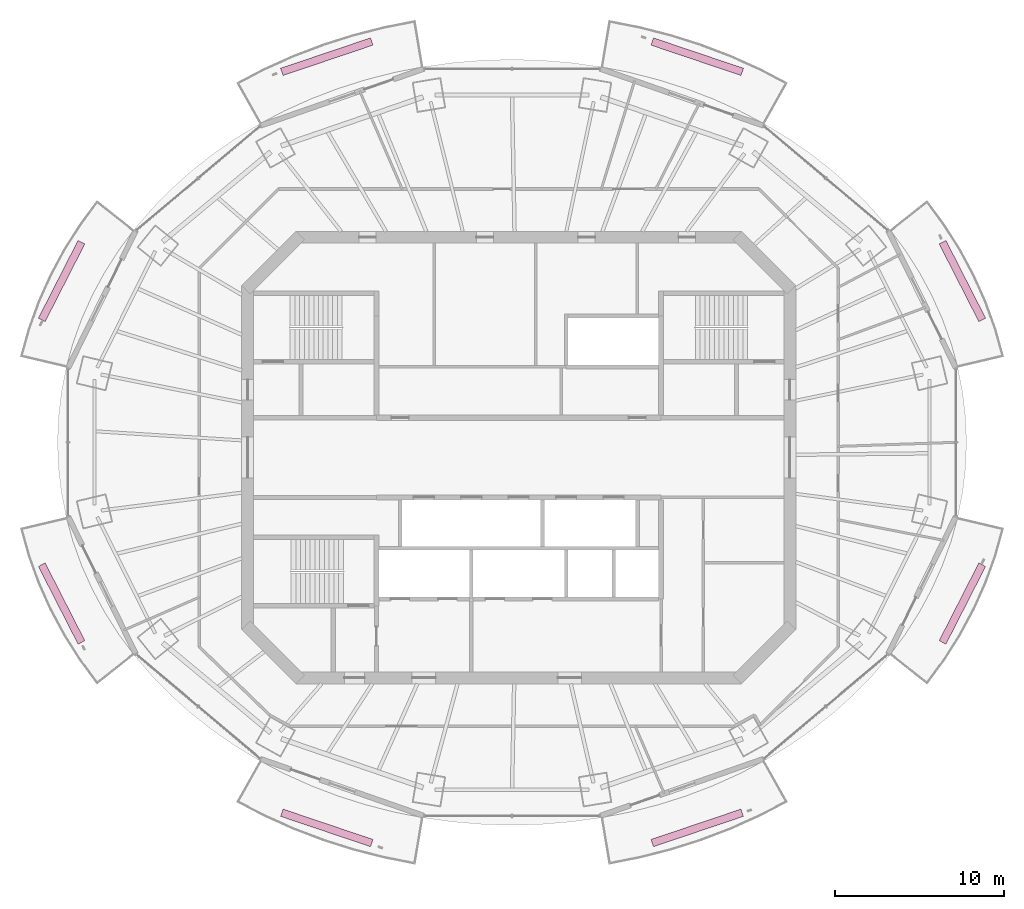
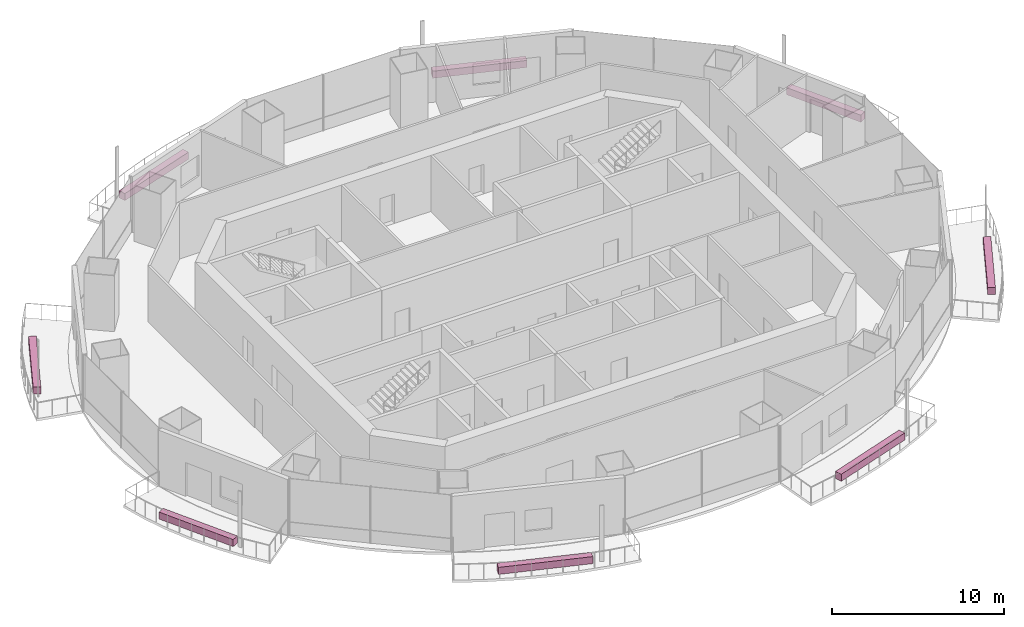
# One storey, part 16 of 16: 8 furnishings.
"""IFC4 building model written with IfcOpenShell, lengths in metres."""

from ifc_helpers import new_model, si_unit, direction, frame, origin, origin_2d, place, context, subcontext, project, spatial, rectangle, extrude, material, type_object, element, save


model = new_model("IFC4")

# Units and contexts
model_context = context("Model", 3, precision=1e-05, world=origin(), true_north=direction((0.0, 1.0)))
body_context = subcontext(model_context, "Body", "Model", "MODEL_VIEW")
ifc_project = project(units=[si_unit("LENGTHUNIT", "METRE"), si_unit("AREAUNIT", "SQUARE_METRE"), si_unit("VOLUMEUNIT", "CUBIC_METRE"), si_unit("PLANEANGLEUNIT", "RADIAN"), si_unit("MASSUNIT", "GRAM", prefix="KILO")], contexts=[model_context])

# Site, building, storey
site_placement = place(None, origin())
site = spatial("IfcSite", under=ifc_project, at=site_placement, CompositionType="ELEMENT")
building_placement = place(site_placement, origin())
building = spatial("IfcBuilding", under=site, at=building_placement, Name="Marenthal Gate Tower", CompositionType="ELEMENT")
storey_placement = place(building_placement, frame((0.0, 0.0, 355.050048828125)))
storey = spatial("IfcBuildingStorey", under=building, at=storey_placement, Name="L80", CompositionType="ELEMENT", Elevation=355.050048828125)

# Furnishings
ifc_material = material(Name="Planting soil and foliage", Category="planting")
furnishing_element_type = type_object("IfcFurnishingElementType", Name="Balcony PLANTER trough", material=ifc_material)
furnishing_1_placement = place(storey_placement, frame((26.180419921875, 10.416748046875, -0.0400390625), z_axis=(0.0, 0.0, 1.0), x_axis=(-0.45454605813, 0.890723234814, 0.0)))
element("IfcFurnishingElement", 1, at=furnishing_1_placement, inside=storey, type_object=furnishing_element_type, Name="Balcony PLANTER L80 bay 1", ObjectType="PLANTER", context=body_context, shape_type="SweptSolid", body=[
    extrude(rectangle(XDim=5.14794921875, YDim=0.449951171875, at=origin_2d()), origin(), (0.0, 0.0, 1.0), 0.5),
])
for number, where, z_axis, x_axis, name in (
    (2, (10.53125, 23.656982421875, -0.0400390625), (0.0, 0.0, 1.0), (-0.947495207309, 0.319769967518, 0.0), "Balcony PLANTER L80 bay 3"),
    (3, (-11.3310546875, 23.656982421875, -0.0400390625), (0.0, 0.0, 1.0), (-0.947495207309, -0.319769967518, 0.0), "Balcony PLANTER L80 bay 5"),
):
    element("IfcFurnishingElement", number, at=place(storey_placement, frame(where, z_axis=z_axis, x_axis=x_axis)), inside=storey, type_object=furnishing_element_type, Name=name, ObjectType="PLANTER", context=body_context, shape_type="SweptSolid", body=[
        extrude(rectangle(XDim=5.60400390625, YDim=0.449951171875, at=origin_2d()), origin(), (0.0, 0.0, 1.0), 0.5),
    ])
for number, where, z_axis, x_axis, name in (
    (4, (-26.98046875, 10.416748046875, -0.0400390625), (0.0, 0.0, 1.0), (-0.45454605813, -0.890723234814, 0.0), "Balcony PLANTER L80 bay 7"),
    (5, (-26.98046875, -8.616943359375, -0.0400390625), (0.0, 0.0, 1.0), (0.45454605813, -0.890723234814, 0.0), "Balcony PLANTER L80 bay 9"),
):
    element("IfcFurnishingElement", number, at=place(storey_placement, frame(where, z_axis=z_axis, x_axis=x_axis)), inside=storey, type_object=furnishing_element_type, Name=name, ObjectType="PLANTER", context=body_context, shape_type="SweptSolid", body=[
        extrude(rectangle(XDim=5.14794921875, YDim=0.449951171875, at=origin_2d()), origin(), (0.0, 0.0, 1.0), 0.5),
    ])
for number, where, z_axis, x_axis, name in (
    (6, (-11.3310546875, -21.85693359375, -0.0400390625), (0.0, 0.0, 1.0), (0.947495207309, -0.319769967518, 0.0), "Balcony PLANTER L80 bay 11"),
    (7, (10.53125, -21.85693359375, -0.0400390625), (0.0, 0.0, 1.0), (0.947495207309, 0.319769967518, 0.0), "Balcony PLANTER L80 bay 13"),
):
    element("IfcFurnishingElement", number, at=place(storey_placement, frame(where, z_axis=z_axis, x_axis=x_axis)), inside=storey, type_object=furnishing_element_type, Name=name, ObjectType="PLANTER", context=body_context, shape_type="SweptSolid", body=[
        extrude(rectangle(XDim=5.60400390625, YDim=0.449951171875, at=origin_2d()), origin(), (0.0, 0.0, 1.0), 0.5),
    ])
furnishing_2_placement = place(storey_placement, frame((26.180419921875, -8.616943359375, -0.0400390625), z_axis=(0.0, 0.0, 1.0), x_axis=(0.45454605813, 0.890723234814, 0.0)))
element("IfcFurnishingElement", 8, at=furnishing_2_placement, inside=storey, type_object=furnishing_element_type, Name="Balcony PLANTER L80 bay 15", ObjectType="PLANTER", context=body_context, shape_type="SweptSolid", body=[
    extrude(rectangle(XDim=5.14794921875, YDim=0.449951171875, at=origin_2d()), origin(), (0.0, 0.0, 1.0), 0.5),
])

save(model, "model.ifc")
